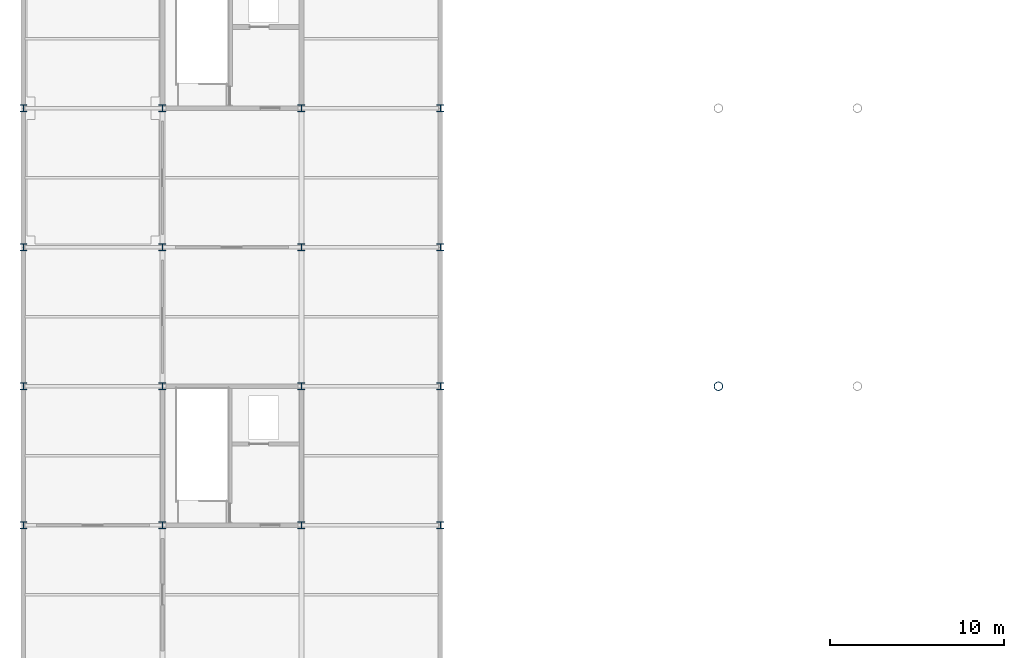
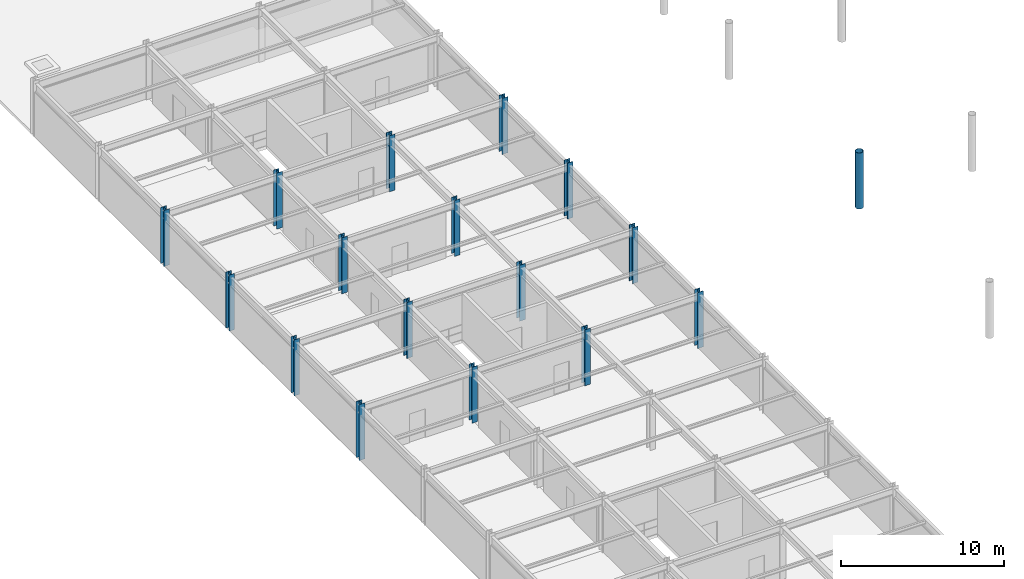
# One storey, part 3 of 41: 17 columns.
"""IFC4 building model written with IfcOpenShell, lengths in metres."""

from ifc_helpers import new_model, si_unit, direction, frame, origin, origin_2d, place, context, subcontext, project, spatial, hollow_circle, i_section, extrude, material, material_profile, profile_set, type_object, element, save


model = new_model("IFC4")

# Units and contexts
model_context = context("Model", 3, precision=1e-05, world=origin(), true_north=direction((0.0, 1.0)))
body_context = subcontext(model_context, "Body", "Model", "MODEL_VIEW")
ifc_project = project(units=[si_unit("LENGTHUNIT", "METRE"), si_unit("AREAUNIT", "SQUARE_METRE"), si_unit("VOLUMEUNIT", "CUBIC_METRE"), si_unit("PLANEANGLEUNIT", "RADIAN"), si_unit("MASSUNIT", "GRAM", prefix="KILO")], contexts=[model_context])

# Site, building, storey
site_placement = place(None, origin())
site = spatial("IfcSite", under=ifc_project, at=site_placement, CompositionType="ELEMENT")
building_placement = place(site_placement, origin())
building = spatial("IfcBuilding", under=site, at=building_placement, Name="Haebicheon Civic Stadium", CompositionType="ELEMENT")
storey_placement = place(building_placement, frame((0.0, 0.0, 27.0)))
storey = spatial("IfcBuildingStorey", under=building, at=storey_placement, Name="L07", CompositionType="ELEMENT", Elevation=27.0)

# Columns
ifc_material_1 = material(Name="White painted steel SM490", Category="steel")
ifc_material_profile_1 = material_profile(ifc_material_1, hollow_circle(Radius=0.25390625, WallThickness=0.02490234375, at=origin_2d()), Name="CHS-508.0x25.0")
ifc_profile_set_1 = profile_set([ifc_material_profile_1], Name="White painted steel SM490")
column_type_1 = type_object("IfcColumnType", Name="COL-ST-CHS508", PredefinedType="COLUMN", material=ifc_profile_set_1)
column_placement = place(storey_placement, frame((64.0, 88.0, 0.0), z_axis=(0.0, 0.0, 1.0), x_axis=(1.0, 0.0, 0.0)))
element("IfcColumn", 1, at=column_placement, inside=storey, type_object=column_type_1, material=ifc_profile_set_1, Name="Bowl/canopy support column 64/88 (L07)", PredefinedType="COLUMN", context=body_context, shape_type="SweptSolid", body=[
    extrude(hollow_circle(Radius=0.25390625, WallThickness=0.02490234375, at=origin_2d()), origin(), (0.0, 0.0, 1.0), 4.199951171875),
])
ifc_material_2 = material(Name="Steel SM355 (S355)", Category="steel")
ifc_material_profile_2 = material_profile(ifc_material_2, i_section(OverallWidth=0.39990234375, OverallDepth=0.39990234375, WebThickness=0.012939453125, FlangeThickness=0.02099609375, at=origin_2d()), Name="H-400x400x13x21")
ifc_profile_set_2 = profile_set([ifc_material_profile_2], Name="Steel SM355 (S355)")
column_type_2 = type_object("IfcColumnType", Name="COL-ST-H400", PredefinedType="COLUMN", material=ifc_profile_set_2)
for number, where, z_axis, x_axis, name in (
    (2, (24.0, 80.0, 0.0), (0.0, 0.0, 1.0), (1.0, 0.0, 0.0), "L07 column 4/L"),
    (3, (24.0, 88.0, 0.0), (0.0, 0.0, 1.0), (1.0, 0.0, 0.0), "L07 column 4/M"),
    (4, (24.0, 96.0, 0.0), (0.0, 0.0, 1.0), (1.0, 0.0, 0.0), "L07 column 4/N"),
    (5, (24.0, 104.0, 0.0), (0.0, 0.0, 1.0), (1.0, 0.0, 0.0), "L07 column 4/P"),
    (6, (32.0, 80.0, 0.0), (0.0, 0.0, 1.0), (1.0, 0.0, 0.0), "L07 column 5/L"),
    (7, (32.0, 88.0, 0.0), (0.0, 0.0, 1.0), (1.0, 0.0, 0.0), "L07 column 5/M"),
    (8, (32.0, 96.0, 0.0), (0.0, 0.0, 1.0), (1.0, 0.0, 0.0), "L07 column 5/N"),
    (9, (32.0, 104.0, 0.0), (0.0, 0.0, 1.0), (1.0, 0.0, 0.0), "L07 column 5/P"),
    (10, (40.0, 80.0, 0.0), (0.0, 0.0, 1.0), (1.0, 0.0, 0.0), "L07 column 6/L"),
    (11, (40.0, 88.0, 0.0), (0.0, 0.0, 1.0), (1.0, 0.0, 0.0), "L07 column 6/M"),
    (12, (40.0, 96.0, 0.0), (0.0, 0.0, 1.0), (1.0, 0.0, 0.0), "L07 column 6/N"),
    (13, (40.0, 104.0, 0.0), (0.0, 0.0, 1.0), (1.0, 0.0, 0.0), "L07 column 6/P"),
    (14, (48.0, 80.0, 0.0), (0.0, 0.0, 1.0), (1.0, 0.0, 0.0), "L07 column 7/L"),
    (15, (48.0, 88.0, 0.0), (0.0, 0.0, 1.0), (1.0, 0.0, 0.0), "L07 column 7/M"),
    (16, (48.0, 96.0, 0.0), (0.0, 0.0, 1.0), (1.0, 0.0, 0.0), "L07 column 7/N"),
    (17, (48.0, 104.0, 0.0), (0.0, 0.0, 1.0), (1.0, 0.0, 0.0), "L07 column 7/P"),
):
    element("IfcColumn", number, at=place(storey_placement, frame(where, z_axis=z_axis, x_axis=x_axis)), inside=storey, type_object=column_type_2, material=ifc_profile_set_2, Name=name, PredefinedType="COLUMN", context=body_context, shape_type="SweptSolid", body=[
        extrude(i_section(OverallWidth=0.39990234375, OverallDepth=0.39990234375, WebThickness=0.012939453125, FlangeThickness=0.02099609375, at=origin_2d()), origin(), (0.0, 0.0, 1.0), 4.199951171875),
    ])

save(model, "model.ifc")
